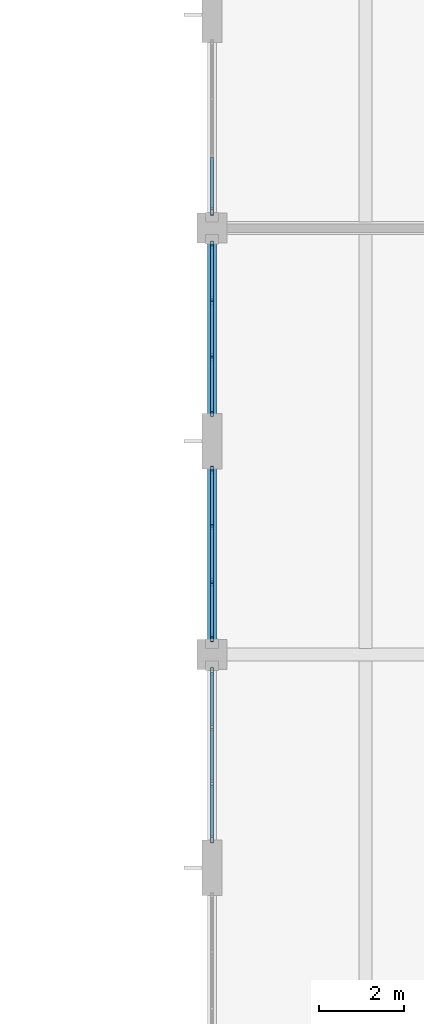
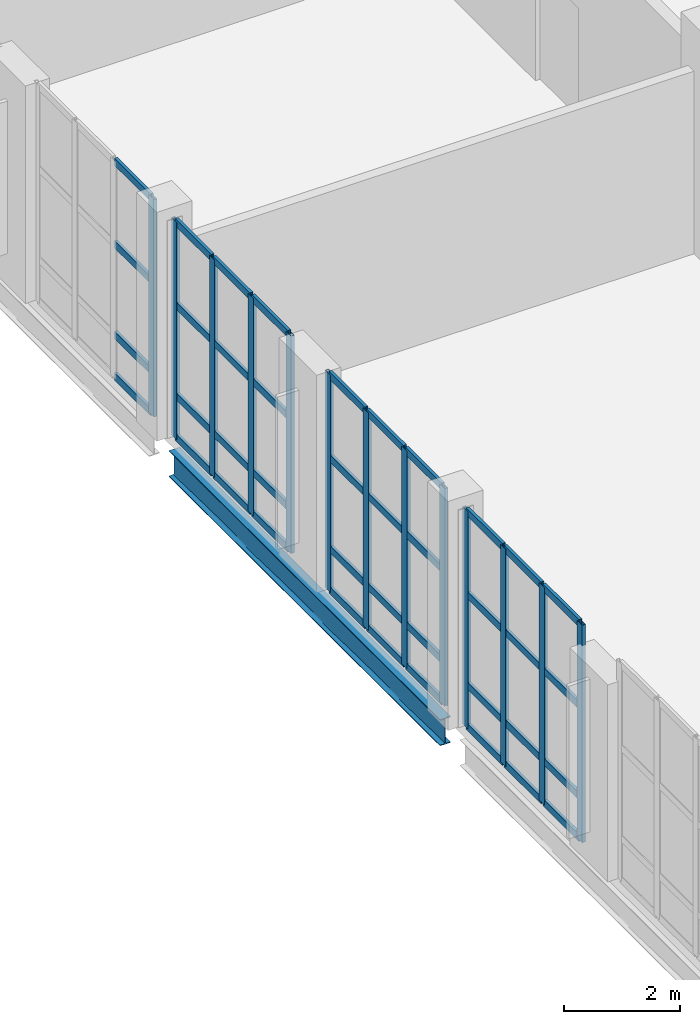
# One storey, part 29 of 92: 53 members, 1 beam, 4 elements without a shape of their own.
"""IFC4 building model written with IfcOpenShell, lengths in metres."""

import ifcopenshell
import ifcopenshell.guid

model = None  # the IFC model being written
_history = None  # IfcOwnerHistory: only IFC2X3 demands one
_inside = {}  # id of a spatial element -> (the spatial element, [elements in it])
_under = {}  # id of a project, library or spatial element -> (it, [spatial elements below it])
_declared = {}  # id of a project -> (the project, [libraries it declares])
_typed = {}  # id of a type object -> (the type object, [elements of that type])
_made_of = {}  # id of a material, layer set ... -> (it, [elements and type objects made of it])


def new_model(schema):
    """Start an empty IFC model of exactly this schema.

    Asked for "IFC4X3", IfcOpenShell would pick the latest addendum, in which some entities
    have other attributes; the version numbers below select the first issue.
    IFC2X3 requires an IfcOwnerHistory on every rooted entity: one is made here for all.
    """
    global model, _history
    if schema == "IFC4X3":
        model = ifcopenshell.file(schema_version=(4, 3, 0, 0))
    else:
        model = ifcopenshell.file(schema=schema)
    _inside.clear()
    _under.clear()
    _declared.clear()
    _typed.clear()
    _made_of.clear()
    _history = None
    if model.schema == "IFC2X3":
        org = make("IfcOrganization", Name="unknown")
        user = make(
            "IfcPersonAndOrganization",
            ThePerson=make("IfcPerson", FamilyName="unknown"),
            TheOrganization=org,
        )
        app = make(
            "IfcApplication",
            ApplicationDeveloper=org,
            Version="unknown",
            ApplicationFullName="unknown",
            ApplicationIdentifier="unknown",
        )
        _history = make(
            "IfcOwnerHistory",
            OwningUser=user,
            OwningApplication=app,
            ChangeAction="ADDED",
            CreationDate=0,
        )
    return model


def make(cls, **values):
    """One entity of the class cls with the attributes given. An attribute that is None is left unset."""
    return model.create_entity(
        cls, **{name: value for name, value in values.items() if value is not None}
    )


def rooted(cls, **values):
    """An entity with a GlobalId (a new one), such as an element, a storey or a relation."""
    return make(cls, GlobalId=ifcopenshell.guid.new(), OwnerHistory=_history, **values)


def si_unit(unit_type, name, prefix=None):
    """IfcSIUnit, for example si_unit("LENGTHUNIT", "METRE", prefix="MILLI")."""
    return make("IfcSIUnit", UnitType=unit_type, Prefix=prefix, Name=name)


def assignment(units):
    """IfcUnitAssignment: the units of a project."""
    return None if units is None else make("IfcUnitAssignment", Units=units)


def point(xyz):
    """IfcCartesianPoint."""
    return None if xyz is None else make("IfcCartesianPoint", Coordinates=xyz)


def direction(xyz):
    """IfcDirection."""
    return None if xyz is None else make("IfcDirection", DirectionRatios=xyz)


def frame(location, z_axis=None, x_axis=None):
    """IfcAxis2Placement3D, a coordinate frame: its origin and axes. An axis left out is left unset."""
    return make(
        "IfcAxis2Placement3D",
        Location=point(location),
        Axis=direction(z_axis),
        RefDirection=direction(x_axis),
    )


def frame_2d(location, x_axis=None):
    """IfcAxis2Placement2D, a coordinate frame in the plane: its origin and x axis."""
    return make(
        "IfcAxis2Placement2D", Location=point(location), RefDirection=direction(x_axis)
    )


def origin():
    """The frame at (0, 0, 0) with its axes left unset."""
    return frame((0.0, 0.0, 0.0))


def origin_2d():
    """The frame at (0, 0) in the plane with its x axis left unset."""
    return frame_2d((0.0, 0.0))


def place(relative_to, where):
    """IfcLocalPlacement: puts the frame where relative to a parent placement (None: the world)."""
    return make(
        "IfcLocalPlacement", PlacementRelTo=relative_to, RelativePlacement=where
    )


def context(
    kind, dimensions, precision=None, world=None, true_north=None, identifier=None
):
    """IfcGeometricRepresentationContext, for example the 3D "Model" context."""
    return make(
        "IfcGeometricRepresentationContext",
        ContextIdentifier=identifier,
        ContextType=kind,
        CoordinateSpaceDimension=dimensions,
        Precision=precision,
        WorldCoordinateSystem=world,
        TrueNorth=true_north,
    )


def subcontext(parent, identifier, kind, view, scale=None):
    """IfcGeometricRepresentationSubContext, for example "Body" below "Model"."""
    return make(
        "IfcGeometricRepresentationSubContext",
        ContextIdentifier=identifier,
        ContextType=kind,
        ParentContext=parent,
        TargetScale=scale,
        TargetView=view,
    )


def project(units=None, contexts=None):
    """IfcProject with its units and contexts."""
    return rooted(
        "IfcProject",
        Name="project",
        RepresentationContexts=contexts,
        UnitsInContext=assignment(units),
    )


def spatial(cls, under=None, at=None, **own):
    """A site, building, storey or space (cls), placed at a placement, below another one or the project."""
    s = rooted(cls, ObjectPlacement=at, **own)
    if under is not None:
        _under.setdefault(under.id(), (under, []))[1].append(s)
    return s


def profile(cls, at=None, kind="AREA", **sizes):
    """A parametric profile (cls). Its sizes go by their IFC names, for example OverallWidth=200.0."""
    return make(cls, ProfileType=kind, Position=at, **sizes)


def hollow_rectangle(**sizes):
    """IfcRectangleHollowProfileDef."""
    return profile("IfcRectangleHollowProfileDef", **sizes)


def i_section(**sizes):
    """IfcIShapeProfileDef."""
    return profile("IfcIShapeProfileDef", **sizes)


def extrude(swept, where, along, depth):
    """IfcExtrudedAreaSolid: the profile swept, set in the frame where, extruded along a direction by depth."""
    return make(
        "IfcExtrudedAreaSolid",
        SweptArea=swept,
        Position=where,
        ExtrudedDirection=direction(along),
        Depth=depth,
    )


def shape(context_of_items, identifier, shape_type, items):
    """IfcShapeRepresentation: the items that make up one representation, for example the "Body"."""
    return make(
        "IfcShapeRepresentation",
        ContextOfItems=context_of_items,
        RepresentationIdentifier=identifier,
        RepresentationType=shape_type,
        Items=items,
    )


def material(Name=None, Category=None):
    """IfcMaterial."""
    return make("IfcMaterial", Name=Name, Category=Category)


def layer(
    of_material, thickness, ventilated=None, Name=None, Category=None, Priority=None
):
    """IfcMaterialLayer: one layer of a wall or slab, of a material (None: an air gap)."""
    return make(
        "IfcMaterialLayer",
        Material=of_material,
        LayerThickness=thickness,
        IsVentilated=ventilated,
        Name=Name,
        Category=Category,
        Priority=Priority,
    )


def layer_set(layers, Name=None):
    """IfcMaterialLayerSet."""
    return make("IfcMaterialLayerSet", MaterialLayers=layers, LayerSetName=Name)


def material_profile(
    of_material, cross_section, Name=None, Category=None, Priority=None
):
    """IfcMaterialProfile: a cross section and its material."""
    return make(
        "IfcMaterialProfile",
        Name=Name,
        Material=of_material,
        Profile=cross_section,
        Priority=Priority,
        Category=Category,
    )


def profile_set(profiles, Name=None, composite=None):
    """IfcMaterialProfileSet."""
    return make(
        "IfcMaterialProfileSet",
        Name=Name,
        MaterialProfiles=profiles,
        CompositeProfile=composite,
    )


def made_of(thing, what):
    """Note that an element or type object is made of a material, layer set ...; save() writes the relation."""
    if what is not None:
        _made_of.setdefault(what.id(), (what, []))[1].append(thing)
    return thing


def type_object(cls, material=None, **own):
    """A type object (cls), such as IfcWallType, which elements share."""
    return made_of(rooted(cls, **own), material)


def element(
    cls,
    number,
    at=None,
    inside=None,
    cuts=None,
    type_object=None,
    material=None,
    context=None,
    identifier="Body",
    shape_type=None,
    held_by="IfcProductDefinitionShape",
    body=None,
    shapes=None,
    **own,
):
    """One element of the class cls, such as IfcWall. Its Tag is "e" and its number.

    at: its placement. inside: the storey or other place that contains it. cuts: it is an
    opening in that element (IfcRelVoidsElement). A single representation is given by context,
    identifier, shape_type and body (its items); several are given by shapes. held_by: the class
    of the entity that holds the representations. save() writes the other relations.
    """
    e = rooted(cls, Tag="e%d" % number, ObjectPlacement=at, **own)
    if body is not None:
        shapes = [shape(context, identifier, shape_type, body)]
    if shapes is not None:
        e.Representation = make(held_by, Representations=shapes)
    if inside is not None:
        _inside.setdefault(inside.id(), (inside, []))[1].append(e)
    if cuts is not None:
        rooted(
            "IfcRelVoidsElement", RelatingBuildingElement=cuts, RelatedOpeningElement=e
        )
    if type_object is not None:
        _typed.setdefault(type_object.id(), (type_object, []))[1].append(e)
    return made_of(e, material)


def aggregate(whole, parts):
    """IfcRelAggregates: a whole, such as a stair, and the parts it consists of."""
    return rooted("IfcRelAggregates", RelatingObject=whole, RelatedObjects=parts)


def save(model, path):
    """Write the relations noted so far, then the file.

    IfcRelAggregates (storeys below a building ...), IfcRelContainedInSpatialStructure (elements
    in a storey), IfcRelDefinesByType, IfcRelAssociatesMaterial and IfcRelDeclares: one each for
    every whole, place, type object, material and project.
    """
    for whole, parts in _under.values():
        aggregate(whole, parts)
    for where, things in _inside.values():
        rooted(
            "IfcRelContainedInSpatialStructure",
            RelatedElements=things,
            RelatingStructure=where,
        )
    for kind, things in _typed.values():
        rooted("IfcRelDefinesByType", RelatedObjects=things, RelatingType=kind)
    for what, things in _made_of.values():
        rooted("IfcRelAssociatesMaterial", RelatedObjects=things, RelatingMaterial=what)
    for by, libraries in _declared.values():
        rooted("IfcRelDeclares", RelatingContext=by, RelatedDefinitions=libraries)
    model.write(path)


model = new_model("IFC4")

# Units and contexts
model_context = context("Model", 3, precision=1e-05, world=origin(), true_north=direction((0.0, 1.0)))
body_context = subcontext(model_context, "Body", "Model", "MODEL_VIEW")
ifc_project = project(units=[si_unit("LENGTHUNIT", "METRE"), si_unit("AREAUNIT", "SQUARE_METRE"), si_unit("VOLUMEUNIT", "CUBIC_METRE"), si_unit("PLANEANGLEUNIT", "RADIAN"), si_unit("MASSUNIT", "GRAM", prefix="KILO")], contexts=[model_context])

# Site, building, storey
site_placement = place(None, origin())
site = spatial("IfcSite", under=ifc_project, at=site_placement, CompositionType="ELEMENT")
building_placement = place(site_placement, origin())
building = spatial("IfcBuilding", under=site, at=building_placement, Name="Tasgan Crest Museum", CompositionType="ELEMENT")
storey_placement = place(building_placement, frame((0.0, 0.0, 4.800048828125)))
storey = spatial("IfcBuildingStorey", under=building, at=storey_placement, Name="L01", CompositionType="ELEMENT", Elevation=4.800048828125)

# Beam
ifc_material_1 = material(Name="Steel S355J2", Category="steel")
ifc_material_profile_1 = material_profile(ifc_material_1, i_section(OverallWidth=0.2099609375, OverallDepth=0.550048828125, WebThickness=0.010986328125, FlangeThickness=0.01708984375, FilletRadius=0.02392578125, at=origin_2d()), Name="IPE 550")
ifc_profile_set_1 = profile_set([ifc_material_profile_1], Name="Steel S355J2")
beam_type = type_object("IfcBeamType", Name="BM-G-IPE550", PredefinedType="BEAM", material=ifc_profile_set_1)
beam_placement = place(storey_placement, frame((108.0, 20.344970703125, -0.554931640625), z_axis=(0.0, 1.0, 0.0), x_axis=(-1.0, 0.0, 0.0)))
element("IfcBeam", 1, at=beam_placement, inside=storey, type_object=beam_type, Name="Beam L01 11 20.0-30.0", PredefinedType="BEAM", context=body_context, shape_type="SweptSolid", body=[
    extrude(i_section(OverallWidth=0.2099609375, OverallDepth=0.550048828125, WebThickness=0.010986328125, FlangeThickness=0.01708984375, FilletRadius=0.02392578125, at=origin_2d()), origin(), (0.0, 0.0, 1.0), 9.31005859375),
])

# Curtain wall, member
ifc_material_2 = material(Name="Triple-Glazed Aluminium Curtain Wall", Category="aluminium")
ifc_layer = layer(ifc_material_2, 0.179931640625, Name="CW-PORCH-Y")
ifc_layer_set = layer_set([ifc_layer], Name="Triple-Glazed Aluminium Curtain Wall")
curtain_wall_type = type_object("IfcCurtainWallType", Name="CW-PORCH-Y", PredefinedType="NOTDEFINED", material=ifc_layer_set)
curtain_wall_1_placement = place(storey_placement, origin())
curtain_wall_1 = element("IfcCurtainWall", 2, at=curtain_wall_1_placement, inside=storey, type_object=curtain_wall_type, Name="Curtain wall L01 038", PredefinedType="NOTDEFINED")
ifc_material_3 = material(Name="Anodised Aluminium", Category="aluminium")
ifc_material_profile_2 = material_profile(ifc_material_3, hollow_rectangle(XDim=0.06494140625, YDim=0.179931640625, WallThickness=0.0048828125, at=origin_2d()), Name="ALU MULLION 180x65x5")
ifc_profile_set_2 = profile_set([ifc_material_profile_2], Name="Anodised Aluminium")
member_type_1 = type_object("IfcMemberType", Name="CW-MULLION-180", PredefinedType="MULLION", material=ifc_profile_set_2)
member_1_placement = place(storey_placement, frame((108.0, 30.39501953125, 0.0), z_axis=(0.0, 0.0, 1.0), x_axis=(1.0, 0.0, 0.0)))
member_1 = element("IfcMember", 3, at=member_1_placement, type_object=member_type_1, Name="CW02 mullion 4", PredefinedType="MULLION", context=body_context, shape_type="SweptSolid", body=[
    extrude(hollow_rectangle(XDim=0.06494140625, YDim=0.179931640625, WallThickness=0.0048828125, at=origin_2d()), origin(), (0.0, 0.0, 1.0), 4.56005859375),
])

# Curtain wall, members
curtain_wall_2_placement = place(storey_placement, origin())
curtain_wall_2 = element("IfcCurtainWall", 4, at=curtain_wall_2_placement, inside=storey, type_object=curtain_wall_type, Name="Curtain wall L01 039", PredefinedType="NOTDEFINED")
member_2_placement = place(storey_placement, frame((108.0, 29.60498046875, 0.0), z_axis=(0.0, 0.0, 1.0), x_axis=(1.0, 0.0, 0.0)))
member_2 = element("IfcMember", 5, at=member_2_placement, type_object=member_type_1, Name="CW02 mullion 1", PredefinedType="MULLION", context=body_context, shape_type="SweptSolid", body=[
    extrude(hollow_rectangle(XDim=0.06494140625, YDim=0.179931640625, WallThickness=0.0048828125, at=origin_2d()), origin(), (0.0, 0.0, 1.0), 4.56005859375),
])
member_3_placement = place(storey_placement, frame((108.0, 28.304931640625, 0.0), z_axis=(0.0, 0.0, 1.0), x_axis=(1.0, 0.0, 0.0)))
member_3 = element("IfcMember", 6, at=member_3_placement, type_object=member_type_1, Name="CW02 mullion 2", PredefinedType="MULLION", context=body_context, shape_type="SweptSolid", body=[
    extrude(hollow_rectangle(XDim=0.06494140625, YDim=0.179931640625, WallThickness=0.0048828125, at=origin_2d()), origin(), (0.0, 0.0, 1.0), 4.56005859375),
])
member_4_placement = place(storey_placement, frame((108.0, 26.97509765625, 0.0), z_axis=(0.0, 0.0, 1.0), x_axis=(1.0, 0.0, 0.0)))
member_4 = element("IfcMember", 7, at=member_4_placement, type_object=member_type_1, Name="CW02 mullion 3", PredefinedType="MULLION", context=body_context, shape_type="SweptSolid", body=[
    extrude(hollow_rectangle(XDim=0.06494140625, YDim=0.179931640625, WallThickness=0.0048828125, at=origin_2d()), origin(), (0.0, 0.0, 1.0), 4.56005859375),
])
member_5_placement = place(storey_placement, frame((108.0, 25.675048828125, 0.0), z_axis=(0.0, 0.0, 1.0), x_axis=(1.0, 0.0, 0.0)))
member_5 = element("IfcMember", 8, at=member_5_placement, type_object=member_type_1, Name="CW02 mullion 4", PredefinedType="MULLION", context=body_context, shape_type="SweptSolid", body=[
    extrude(hollow_rectangle(XDim=0.06494140625, YDim=0.179931640625, WallThickness=0.0048828125, at=origin_2d()), origin(), (0.0, 0.0, 1.0), 4.56005859375),
])

curtain_wall_3_placement = place(storey_placement, origin())
curtain_wall_3 = element("IfcCurtainWall", 9, at=curtain_wall_3_placement, inside=storey, type_object=curtain_wall_type, Name="Curtain wall L01 040", PredefinedType="NOTDEFINED")
member_6_placement = place(storey_placement, frame((108.0, 24.324951171875, 0.0), z_axis=(0.0, 0.0, 1.0), x_axis=(1.0, 0.0, 0.0)))
member_6 = element("IfcMember", 10, at=member_6_placement, type_object=member_type_1, Name="CW02 mullion 1", PredefinedType="MULLION", context=body_context, shape_type="SweptSolid", body=[
    extrude(hollow_rectangle(XDim=0.06494140625, YDim=0.179931640625, WallThickness=0.0048828125, at=origin_2d()), origin(), (0.0, 0.0, 1.0), 4.56005859375),
])
member_7_placement = place(storey_placement, frame((108.0, 23.02490234375, 0.0), z_axis=(0.0, 0.0, 1.0), x_axis=(1.0, 0.0, 0.0)))
member_7 = element("IfcMember", 11, at=member_7_placement, type_object=member_type_1, Name="CW02 mullion 2", PredefinedType="MULLION", context=body_context, shape_type="SweptSolid", body=[
    extrude(hollow_rectangle(XDim=0.06494140625, YDim=0.179931640625, WallThickness=0.0048828125, at=origin_2d()), origin(), (0.0, 0.0, 1.0), 4.56005859375),
])
member_8_placement = place(storey_placement, frame((108.0, 21.695068359375, 0.0), z_axis=(0.0, 0.0, 1.0), x_axis=(1.0, 0.0, 0.0)))
member_8 = element("IfcMember", 12, at=member_8_placement, type_object=member_type_1, Name="CW02 mullion 3", PredefinedType="MULLION", context=body_context, shape_type="SweptSolid", body=[
    extrude(hollow_rectangle(XDim=0.06494140625, YDim=0.179931640625, WallThickness=0.0048828125, at=origin_2d()), origin(), (0.0, 0.0, 1.0), 4.56005859375),
])
member_9_placement = place(storey_placement, frame((108.0, 20.39501953125, 0.0), z_axis=(0.0, 0.0, 1.0), x_axis=(1.0, 0.0, 0.0)))
member_9 = element("IfcMember", 13, at=member_9_placement, type_object=member_type_1, Name="CW02 mullion 4", PredefinedType="MULLION", context=body_context, shape_type="SweptSolid", body=[
    extrude(hollow_rectangle(XDim=0.06494140625, YDim=0.179931640625, WallThickness=0.0048828125, at=origin_2d()), origin(), (0.0, 0.0, 1.0), 4.56005859375),
])

curtain_wall_4_placement = place(storey_placement, origin())
curtain_wall_4 = element("IfcCurtainWall", 14, at=curtain_wall_4_placement, inside=storey, type_object=curtain_wall_type, Name="Curtain wall L01 041", PredefinedType="NOTDEFINED")
member_10_placement = place(storey_placement, frame((108.0, 19.60498046875, 0.0), z_axis=(0.0, 0.0, 1.0), x_axis=(1.0, 0.0, 0.0)))
member_10 = element("IfcMember", 15, at=member_10_placement, type_object=member_type_1, Name="CW02 mullion 1", PredefinedType="MULLION", context=body_context, shape_type="SweptSolid", body=[
    extrude(hollow_rectangle(XDim=0.06494140625, YDim=0.179931640625, WallThickness=0.0048828125, at=origin_2d()), origin(), (0.0, 0.0, 1.0), 4.56005859375),
])
member_11_placement = place(storey_placement, frame((108.0, 18.304931640625, 0.0), z_axis=(0.0, 0.0, 1.0), x_axis=(1.0, 0.0, 0.0)))
member_11 = element("IfcMember", 16, at=member_11_placement, type_object=member_type_1, Name="CW02 mullion 2", PredefinedType="MULLION", context=body_context, shape_type="SweptSolid", body=[
    extrude(hollow_rectangle(XDim=0.06494140625, YDim=0.179931640625, WallThickness=0.0048828125, at=origin_2d()), origin(), (0.0, 0.0, 1.0), 4.56005859375),
])
member_12_placement = place(storey_placement, frame((108.0, 16.97509765625, 0.0), z_axis=(0.0, 0.0, 1.0), x_axis=(1.0, 0.0, 0.0)))
member_12 = element("IfcMember", 17, at=member_12_placement, type_object=member_type_1, Name="CW02 mullion 3", PredefinedType="MULLION", context=body_context, shape_type="SweptSolid", body=[
    extrude(hollow_rectangle(XDim=0.06494140625, YDim=0.179931640625, WallThickness=0.0048828125, at=origin_2d()), origin(), (0.0, 0.0, 1.0), 4.56005859375),
])
member_13_placement = place(storey_placement, frame((108.0, 15.675048828125, 0.0), z_axis=(0.0, 0.0, 1.0), x_axis=(1.0, 0.0, 0.0)))
member_13 = element("IfcMember", 18, at=member_13_placement, type_object=member_type_1, Name="CW02 mullion 4", PredefinedType="MULLION", context=body_context, shape_type="SweptSolid", body=[
    extrude(hollow_rectangle(XDim=0.06494140625, YDim=0.179931640625, WallThickness=0.0048828125, at=origin_2d()), origin(), (0.0, 0.0, 1.0), 4.56005859375),
])

# Member
ifc_material_4 = material(Name="Anodised Aluminium", Category="aluminium")
ifc_material_profile_3 = material_profile(ifc_material_4, hollow_rectangle(XDim=0.06005859375, YDim=0.14990234375, WallThickness=0.0048828125, at=origin_2d()), Name="ALU TRANSOM 150x60x5")
ifc_profile_set_3 = profile_set([ifc_material_profile_3], Name="Anodised Aluminium")
member_type_2 = type_object("IfcMemberType", Name="CW-TRANSOM-150", PredefinedType="USERDEFINED", material=ifc_profile_set_3)
member_14_placement = place(storey_placement, frame((108.0, 31.6650390625, 0.030029296875), z_axis=(0.0, -1.0, 0.0), x_axis=(1.0, 0.0, 0.0)))
member_14 = element("IfcMember", 19, at=member_14_placement, type_object=member_type_2, Name="CW02 transom 3.1", ObjectType="TRANSOM", PredefinedType="USERDEFINED", context=body_context, shape_type="SweptSolid", body=[
    extrude(hollow_rectangle(XDim=0.06005859375, YDim=0.14990234375, WallThickness=0.0048828125, at=origin_2d()), origin(), (0.0, 0.0, 1.0), 1.239990234375),
])

member_15_placement = place(storey_placement, frame((108.0, 31.6650390625, 0.89990234375), z_axis=(0.0, -1.0, 0.0), x_axis=(1.0, 0.0, 0.0)))
member_15 = element("IfcMember", 20, at=member_15_placement, type_object=member_type_2, Name="CW02 transom 3.2", ObjectType="TRANSOM", PredefinedType="USERDEFINED", context=body_context, shape_type="SweptSolid", body=[
    extrude(hollow_rectangle(XDim=0.06005859375, YDim=0.14990234375, WallThickness=0.0048828125, at=origin_2d()), origin(), (0.0, 0.0, 1.0), 1.239990234375),
])

member_16_placement = place(storey_placement, frame((108.0, 31.6650390625, 2.800048828125), z_axis=(0.0, -1.0, 0.0), x_axis=(1.0, 0.0, 0.0)))
member_16 = element("IfcMember", 21, at=member_16_placement, type_object=member_type_2, Name="CW02 transom 3.3", ObjectType="TRANSOM", PredefinedType="USERDEFINED", context=body_context, shape_type="SweptSolid", body=[
    extrude(hollow_rectangle(XDim=0.06005859375, YDim=0.14990234375, WallThickness=0.0048828125, at=origin_2d()), origin(), (0.0, 0.0, 1.0), 1.239990234375),
])

member_17_placement = place(storey_placement, frame((108.0, 31.6650390625, 4.530029296875), z_axis=(0.0, -1.0, 0.0), x_axis=(1.0, 0.0, 0.0)))
member_17 = element("IfcMember", 22, at=member_17_placement, type_object=member_type_2, Name="CW02 transom 3.4", ObjectType="TRANSOM", PredefinedType="USERDEFINED", context=body_context, shape_type="SweptSolid", body=[
    extrude(hollow_rectangle(XDim=0.06005859375, YDim=0.14990234375, WallThickness=0.0048828125, at=origin_2d()), origin(), (0.0, 0.0, 1.0), 1.239990234375),
])

aggregate(curtain_wall_1, [member_1, member_14, member_15, member_16, member_17])

member_18_placement = place(storey_placement, frame((108.0, 29.574951171875, 0.030029296875), z_axis=(0.0, -1.0, 0.0), x_axis=(1.0, 0.0, 0.0)))
member_18 = element("IfcMember", 23, at=member_18_placement, type_object=member_type_2, Name="CW02 transom 1.1", ObjectType="TRANSOM", PredefinedType="USERDEFINED", context=body_context, shape_type="SweptSolid", body=[
    extrude(hollow_rectangle(XDim=0.06005859375, YDim=0.14990234375, WallThickness=0.0048828125, at=origin_2d()), origin(), (0.0, 0.0, 1.0), 1.239990234375),
])

member_19_placement = place(storey_placement, frame((108.0, 29.574951171875, 0.89990234375), z_axis=(0.0, -1.0, 0.0), x_axis=(1.0, 0.0, 0.0)))
member_19 = element("IfcMember", 24, at=member_19_placement, type_object=member_type_2, Name="CW02 transom 1.2", ObjectType="TRANSOM", PredefinedType="USERDEFINED", context=body_context, shape_type="SweptSolid", body=[
    extrude(hollow_rectangle(XDim=0.06005859375, YDim=0.14990234375, WallThickness=0.0048828125, at=origin_2d()), origin(), (0.0, 0.0, 1.0), 1.239990234375),
])

member_20_placement = place(storey_placement, frame((108.0, 29.574951171875, 2.800048828125), z_axis=(0.0, -1.0, 0.0), x_axis=(1.0, 0.0, 0.0)))
member_20 = element("IfcMember", 25, at=member_20_placement, type_object=member_type_2, Name="CW02 transom 1.3", ObjectType="TRANSOM", PredefinedType="USERDEFINED", context=body_context, shape_type="SweptSolid", body=[
    extrude(hollow_rectangle(XDim=0.06005859375, YDim=0.14990234375, WallThickness=0.0048828125, at=origin_2d()), origin(), (0.0, 0.0, 1.0), 1.239990234375),
])

member_21_placement = place(storey_placement, frame((108.0, 29.574951171875, 4.530029296875), z_axis=(0.0, -1.0, 0.0), x_axis=(1.0, 0.0, 0.0)))
member_21 = element("IfcMember", 26, at=member_21_placement, type_object=member_type_2, Name="CW02 transom 1.4", ObjectType="TRANSOM", PredefinedType="USERDEFINED", context=body_context, shape_type="SweptSolid", body=[
    extrude(hollow_rectangle(XDim=0.06005859375, YDim=0.14990234375, WallThickness=0.0048828125, at=origin_2d()), origin(), (0.0, 0.0, 1.0), 1.239990234375),
])

member_22_placement = place(storey_placement, frame((108.0, 28.27490234375, 0.030029296875), z_axis=(0.0, -1.0, 0.0), x_axis=(1.0, 0.0, 0.0)))
member_22 = element("IfcMember", 27, at=member_22_placement, type_object=member_type_2, Name="CW02 transom 2.1", ObjectType="TRANSOM", PredefinedType="USERDEFINED", context=body_context, shape_type="SweptSolid", body=[
    extrude(hollow_rectangle(XDim=0.06005859375, YDim=0.14990234375, WallThickness=0.0048828125, at=origin_2d()), origin(), (0.0, 0.0, 1.0), 1.27001953125),
])

member_23_placement = place(storey_placement, frame((108.0, 28.27490234375, 0.89990234375), z_axis=(0.0, -1.0, 0.0), x_axis=(1.0, 0.0, 0.0)))
member_23 = element("IfcMember", 28, at=member_23_placement, type_object=member_type_2, Name="CW02 transom 2.2", ObjectType="TRANSOM", PredefinedType="USERDEFINED", context=body_context, shape_type="SweptSolid", body=[
    extrude(hollow_rectangle(XDim=0.06005859375, YDim=0.14990234375, WallThickness=0.0048828125, at=origin_2d()), origin(), (0.0, 0.0, 1.0), 1.27001953125),
])

member_24_placement = place(storey_placement, frame((108.0, 28.27490234375, 2.800048828125), z_axis=(0.0, -1.0, 0.0), x_axis=(1.0, 0.0, 0.0)))
member_24 = element("IfcMember", 29, at=member_24_placement, type_object=member_type_2, Name="CW02 transom 2.3", ObjectType="TRANSOM", PredefinedType="USERDEFINED", context=body_context, shape_type="SweptSolid", body=[
    extrude(hollow_rectangle(XDim=0.06005859375, YDim=0.14990234375, WallThickness=0.0048828125, at=origin_2d()), origin(), (0.0, 0.0, 1.0), 1.27001953125),
])

member_25_placement = place(storey_placement, frame((108.0, 28.27490234375, 4.530029296875), z_axis=(0.0, -1.0, 0.0), x_axis=(1.0, 0.0, 0.0)))
member_25 = element("IfcMember", 30, at=member_25_placement, type_object=member_type_2, Name="CW02 transom 2.4", ObjectType="TRANSOM", PredefinedType="USERDEFINED", context=body_context, shape_type="SweptSolid", body=[
    extrude(hollow_rectangle(XDim=0.06005859375, YDim=0.14990234375, WallThickness=0.0048828125, at=origin_2d()), origin(), (0.0, 0.0, 1.0), 1.27001953125),
])

member_26_placement = place(storey_placement, frame((108.0, 26.945068359375, 0.030029296875), z_axis=(0.0, -1.0, 0.0), x_axis=(1.0, 0.0, 0.0)))
member_26 = element("IfcMember", 31, at=member_26_placement, type_object=member_type_2, Name="CW02 transom 3.1", ObjectType="TRANSOM", PredefinedType="USERDEFINED", context=body_context, shape_type="SweptSolid", body=[
    extrude(hollow_rectangle(XDim=0.06005859375, YDim=0.14990234375, WallThickness=0.0048828125, at=origin_2d()), origin(), (0.0, 0.0, 1.0), 1.239990234375),
])

member_27_placement = place(storey_placement, frame((108.0, 26.945068359375, 0.89990234375), z_axis=(0.0, -1.0, 0.0), x_axis=(1.0, 0.0, 0.0)))
member_27 = element("IfcMember", 32, at=member_27_placement, type_object=member_type_2, Name="CW02 transom 3.2", ObjectType="TRANSOM", PredefinedType="USERDEFINED", context=body_context, shape_type="SweptSolid", body=[
    extrude(hollow_rectangle(XDim=0.06005859375, YDim=0.14990234375, WallThickness=0.0048828125, at=origin_2d()), origin(), (0.0, 0.0, 1.0), 1.239990234375),
])

member_28_placement = place(storey_placement, frame((108.0, 26.945068359375, 2.800048828125), z_axis=(0.0, -1.0, 0.0), x_axis=(1.0, 0.0, 0.0)))
member_28 = element("IfcMember", 33, at=member_28_placement, type_object=member_type_2, Name="CW02 transom 3.3", ObjectType="TRANSOM", PredefinedType="USERDEFINED", context=body_context, shape_type="SweptSolid", body=[
    extrude(hollow_rectangle(XDim=0.06005859375, YDim=0.14990234375, WallThickness=0.0048828125, at=origin_2d()), origin(), (0.0, 0.0, 1.0), 1.239990234375),
])

member_29_placement = place(storey_placement, frame((108.0, 26.945068359375, 4.530029296875), z_axis=(0.0, -1.0, 0.0), x_axis=(1.0, 0.0, 0.0)))
member_29 = element("IfcMember", 34, at=member_29_placement, type_object=member_type_2, Name="CW02 transom 3.4", ObjectType="TRANSOM", PredefinedType="USERDEFINED", context=body_context, shape_type="SweptSolid", body=[
    extrude(hollow_rectangle(XDim=0.06005859375, YDim=0.14990234375, WallThickness=0.0048828125, at=origin_2d()), origin(), (0.0, 0.0, 1.0), 1.239990234375),
])

aggregate(curtain_wall_2, [member_2, member_3, member_4, member_5, member_18, member_19, member_20, member_21, member_22, member_23, member_24, member_25, member_26, member_27, member_28, member_29])

member_30_placement = place(storey_placement, frame((108.0, 24.294921875, 0.030029296875), z_axis=(0.0, -1.0, 0.0), x_axis=(1.0, 0.0, 0.0)))
member_30 = element("IfcMember", 35, at=member_30_placement, type_object=member_type_2, Name="CW02 transom 1.1", ObjectType="TRANSOM", PredefinedType="USERDEFINED", context=body_context, shape_type="SweptSolid", body=[
    extrude(hollow_rectangle(XDim=0.06005859375, YDim=0.14990234375, WallThickness=0.0048828125, at=origin_2d()), origin(), (0.0, 0.0, 1.0), 1.239990234375),
])

member_31_placement = place(storey_placement, frame((108.0, 24.294921875, 0.89990234375), z_axis=(0.0, -1.0, 0.0), x_axis=(1.0, 0.0, 0.0)))
member_31 = element("IfcMember", 36, at=member_31_placement, type_object=member_type_2, Name="CW02 transom 1.2", ObjectType="TRANSOM", PredefinedType="USERDEFINED", context=body_context, shape_type="SweptSolid", body=[
    extrude(hollow_rectangle(XDim=0.06005859375, YDim=0.14990234375, WallThickness=0.0048828125, at=origin_2d()), origin(), (0.0, 0.0, 1.0), 1.239990234375),
])

member_32_placement = place(storey_placement, frame((108.0, 24.294921875, 2.800048828125), z_axis=(0.0, -1.0, 0.0), x_axis=(1.0, 0.0, 0.0)))
member_32 = element("IfcMember", 37, at=member_32_placement, type_object=member_type_2, Name="CW02 transom 1.3", ObjectType="TRANSOM", PredefinedType="USERDEFINED", context=body_context, shape_type="SweptSolid", body=[
    extrude(hollow_rectangle(XDim=0.06005859375, YDim=0.14990234375, WallThickness=0.0048828125, at=origin_2d()), origin(), (0.0, 0.0, 1.0), 1.239990234375),
])

member_33_placement = place(storey_placement, frame((108.0, 24.294921875, 4.530029296875), z_axis=(0.0, -1.0, 0.0), x_axis=(1.0, 0.0, 0.0)))
member_33 = element("IfcMember", 38, at=member_33_placement, type_object=member_type_2, Name="CW02 transom 1.4", ObjectType="TRANSOM", PredefinedType="USERDEFINED", context=body_context, shape_type="SweptSolid", body=[
    extrude(hollow_rectangle(XDim=0.06005859375, YDim=0.14990234375, WallThickness=0.0048828125, at=origin_2d()), origin(), (0.0, 0.0, 1.0), 1.239990234375),
])

member_34_placement = place(storey_placement, frame((108.0, 22.9951171875, 0.030029296875), z_axis=(0.0, -1.0, 0.0), x_axis=(1.0, 0.0, 0.0)))
member_34 = element("IfcMember", 39, at=member_34_placement, type_object=member_type_2, Name="CW02 transom 2.1", ObjectType="TRANSOM", PredefinedType="USERDEFINED", context=body_context, shape_type="SweptSolid", body=[
    extrude(hollow_rectangle(XDim=0.06005859375, YDim=0.14990234375, WallThickness=0.0048828125, at=origin_2d()), origin(), (0.0, 0.0, 1.0), 1.27001953125),
])

member_35_placement = place(storey_placement, frame((108.0, 22.9951171875, 0.89990234375), z_axis=(0.0, -1.0, 0.0), x_axis=(1.0, 0.0, 0.0)))
member_35 = element("IfcMember", 40, at=member_35_placement, type_object=member_type_2, Name="CW02 transom 2.2", ObjectType="TRANSOM", PredefinedType="USERDEFINED", context=body_context, shape_type="SweptSolid", body=[
    extrude(hollow_rectangle(XDim=0.06005859375, YDim=0.14990234375, WallThickness=0.0048828125, at=origin_2d()), origin(), (0.0, 0.0, 1.0), 1.27001953125),
])

member_36_placement = place(storey_placement, frame((108.0, 22.9951171875, 2.800048828125), z_axis=(0.0, -1.0, 0.0), x_axis=(1.0, 0.0, 0.0)))
member_36 = element("IfcMember", 41, at=member_36_placement, type_object=member_type_2, Name="CW02 transom 2.3", ObjectType="TRANSOM", PredefinedType="USERDEFINED", context=body_context, shape_type="SweptSolid", body=[
    extrude(hollow_rectangle(XDim=0.06005859375, YDim=0.14990234375, WallThickness=0.0048828125, at=origin_2d()), origin(), (0.0, 0.0, 1.0), 1.27001953125),
])

member_37_placement = place(storey_placement, frame((108.0, 22.9951171875, 4.530029296875), z_axis=(0.0, -1.0, 0.0), x_axis=(1.0, 0.0, 0.0)))
member_37 = element("IfcMember", 42, at=member_37_placement, type_object=member_type_2, Name="CW02 transom 2.4", ObjectType="TRANSOM", PredefinedType="USERDEFINED", context=body_context, shape_type="SweptSolid", body=[
    extrude(hollow_rectangle(XDim=0.06005859375, YDim=0.14990234375, WallThickness=0.0048828125, at=origin_2d()), origin(), (0.0, 0.0, 1.0), 1.27001953125),
])

member_38_placement = place(storey_placement, frame((108.0, 21.6650390625, 0.030029296875), z_axis=(0.0, -1.0, 0.0), x_axis=(1.0, 0.0, 0.0)))
member_38 = element("IfcMember", 43, at=member_38_placement, type_object=member_type_2, Name="CW02 transom 3.1", ObjectType="TRANSOM", PredefinedType="USERDEFINED", context=body_context, shape_type="SweptSolid", body=[
    extrude(hollow_rectangle(XDim=0.06005859375, YDim=0.14990234375, WallThickness=0.0048828125, at=origin_2d()), origin(), (0.0, 0.0, 1.0), 1.239990234375),
])

member_39_placement = place(storey_placement, frame((108.0, 21.6650390625, 0.89990234375), z_axis=(0.0, -1.0, 0.0), x_axis=(1.0, 0.0, 0.0)))
member_39 = element("IfcMember", 44, at=member_39_placement, type_object=member_type_2, Name="CW02 transom 3.2", ObjectType="TRANSOM", PredefinedType="USERDEFINED", context=body_context, shape_type="SweptSolid", body=[
    extrude(hollow_rectangle(XDim=0.06005859375, YDim=0.14990234375, WallThickness=0.0048828125, at=origin_2d()), origin(), (0.0, 0.0, 1.0), 1.239990234375),
])

member_40_placement = place(storey_placement, frame((108.0, 21.6650390625, 2.800048828125), z_axis=(0.0, -1.0, 0.0), x_axis=(1.0, 0.0, 0.0)))
member_40 = element("IfcMember", 45, at=member_40_placement, type_object=member_type_2, Name="CW02 transom 3.3", ObjectType="TRANSOM", PredefinedType="USERDEFINED", context=body_context, shape_type="SweptSolid", body=[
    extrude(hollow_rectangle(XDim=0.06005859375, YDim=0.14990234375, WallThickness=0.0048828125, at=origin_2d()), origin(), (0.0, 0.0, 1.0), 1.239990234375),
])

member_41_placement = place(storey_placement, frame((108.0, 21.6650390625, 4.530029296875), z_axis=(0.0, -1.0, 0.0), x_axis=(1.0, 0.0, 0.0)))
member_41 = element("IfcMember", 46, at=member_41_placement, type_object=member_type_2, Name="CW02 transom 3.4", ObjectType="TRANSOM", PredefinedType="USERDEFINED", context=body_context, shape_type="SweptSolid", body=[
    extrude(hollow_rectangle(XDim=0.06005859375, YDim=0.14990234375, WallThickness=0.0048828125, at=origin_2d()), origin(), (0.0, 0.0, 1.0), 1.239990234375),
])

aggregate(curtain_wall_3, [member_6, member_7, member_8, member_9, member_30, member_31, member_32, member_33, member_34, member_35, member_36, member_37, member_38, member_39, member_40, member_41])

member_42_placement = place(storey_placement, frame((108.0, 19.574951171875, 0.030029296875), z_axis=(0.0, -1.0, 0.0), x_axis=(1.0, 0.0, 0.0)))
member_42 = element("IfcMember", 47, at=member_42_placement, type_object=member_type_2, Name="CW02 transom 1.1", ObjectType="TRANSOM", PredefinedType="USERDEFINED", context=body_context, shape_type="SweptSolid", body=[
    extrude(hollow_rectangle(XDim=0.06005859375, YDim=0.14990234375, WallThickness=0.0048828125, at=origin_2d()), origin(), (0.0, 0.0, 1.0), 1.239990234375),
])

member_43_placement = place(storey_placement, frame((108.0, 19.574951171875, 0.89990234375), z_axis=(0.0, -1.0, 0.0), x_axis=(1.0, 0.0, 0.0)))
member_43 = element("IfcMember", 48, at=member_43_placement, type_object=member_type_2, Name="CW02 transom 1.2", ObjectType="TRANSOM", PredefinedType="USERDEFINED", context=body_context, shape_type="SweptSolid", body=[
    extrude(hollow_rectangle(XDim=0.06005859375, YDim=0.14990234375, WallThickness=0.0048828125, at=origin_2d()), origin(), (0.0, 0.0, 1.0), 1.239990234375),
])

member_44_placement = place(storey_placement, frame((108.0, 19.574951171875, 2.800048828125), z_axis=(0.0, -1.0, 0.0), x_axis=(1.0, 0.0, 0.0)))
member_44 = element("IfcMember", 49, at=member_44_placement, type_object=member_type_2, Name="CW02 transom 1.3", ObjectType="TRANSOM", PredefinedType="USERDEFINED", context=body_context, shape_type="SweptSolid", body=[
    extrude(hollow_rectangle(XDim=0.06005859375, YDim=0.14990234375, WallThickness=0.0048828125, at=origin_2d()), origin(), (0.0, 0.0, 1.0), 1.239990234375),
])

member_45_placement = place(storey_placement, frame((108.0, 19.574951171875, 4.530029296875), z_axis=(0.0, -1.0, 0.0), x_axis=(1.0, 0.0, 0.0)))
member_45 = element("IfcMember", 50, at=member_45_placement, type_object=member_type_2, Name="CW02 transom 1.4", ObjectType="TRANSOM", PredefinedType="USERDEFINED", context=body_context, shape_type="SweptSolid", body=[
    extrude(hollow_rectangle(XDim=0.06005859375, YDim=0.14990234375, WallThickness=0.0048828125, at=origin_2d()), origin(), (0.0, 0.0, 1.0), 1.239990234375),
])

member_46_placement = place(storey_placement, frame((108.0, 18.27490234375, 0.030029296875), z_axis=(0.0, -1.0, 0.0), x_axis=(1.0, 0.0, 0.0)))
member_46 = element("IfcMember", 51, at=member_46_placement, type_object=member_type_2, Name="CW02 transom 2.1", ObjectType="TRANSOM", PredefinedType="USERDEFINED", context=body_context, shape_type="SweptSolid", body=[
    extrude(hollow_rectangle(XDim=0.06005859375, YDim=0.14990234375, WallThickness=0.0048828125, at=origin_2d()), origin(), (0.0, 0.0, 1.0), 1.27001953125),
])

member_47_placement = place(storey_placement, frame((108.0, 18.27490234375, 0.89990234375), z_axis=(0.0, -1.0, 0.0), x_axis=(1.0, 0.0, 0.0)))
member_47 = element("IfcMember", 52, at=member_47_placement, type_object=member_type_2, Name="CW02 transom 2.2", ObjectType="TRANSOM", PredefinedType="USERDEFINED", context=body_context, shape_type="SweptSolid", body=[
    extrude(hollow_rectangle(XDim=0.06005859375, YDim=0.14990234375, WallThickness=0.0048828125, at=origin_2d()), origin(), (0.0, 0.0, 1.0), 1.27001953125),
])

member_48_placement = place(storey_placement, frame((108.0, 18.27490234375, 2.800048828125), z_axis=(0.0, -1.0, 0.0), x_axis=(1.0, 0.0, 0.0)))
member_48 = element("IfcMember", 53, at=member_48_placement, type_object=member_type_2, Name="CW02 transom 2.3", ObjectType="TRANSOM", PredefinedType="USERDEFINED", context=body_context, shape_type="SweptSolid", body=[
    extrude(hollow_rectangle(XDim=0.06005859375, YDim=0.14990234375, WallThickness=0.0048828125, at=origin_2d()), origin(), (0.0, 0.0, 1.0), 1.27001953125),
])

member_49_placement = place(storey_placement, frame((108.0, 18.27490234375, 4.530029296875), z_axis=(0.0, -1.0, 0.0), x_axis=(1.0, 0.0, 0.0)))
member_49 = element("IfcMember", 54, at=member_49_placement, type_object=member_type_2, Name="CW02 transom 2.4", ObjectType="TRANSOM", PredefinedType="USERDEFINED", context=body_context, shape_type="SweptSolid", body=[
    extrude(hollow_rectangle(XDim=0.06005859375, YDim=0.14990234375, WallThickness=0.0048828125, at=origin_2d()), origin(), (0.0, 0.0, 1.0), 1.27001953125),
])

member_50_placement = place(storey_placement, frame((108.0, 16.945068359375, 0.030029296875), z_axis=(0.0, -1.0, 0.0), x_axis=(1.0, 0.0, 0.0)))
member_50 = element("IfcMember", 55, at=member_50_placement, type_object=member_type_2, Name="CW02 transom 3.1", ObjectType="TRANSOM", PredefinedType="USERDEFINED", context=body_context, shape_type="SweptSolid", body=[
    extrude(hollow_rectangle(XDim=0.06005859375, YDim=0.14990234375, WallThickness=0.0048828125, at=origin_2d()), origin(), (0.0, 0.0, 1.0), 1.239990234375),
])

member_51_placement = place(storey_placement, frame((108.0, 16.945068359375, 0.89990234375), z_axis=(0.0, -1.0, 0.0), x_axis=(1.0, 0.0, 0.0)))
member_51 = element("IfcMember", 56, at=member_51_placement, type_object=member_type_2, Name="CW02 transom 3.2", ObjectType="TRANSOM", PredefinedType="USERDEFINED", context=body_context, shape_type="SweptSolid", body=[
    extrude(hollow_rectangle(XDim=0.06005859375, YDim=0.14990234375, WallThickness=0.0048828125, at=origin_2d()), origin(), (0.0, 0.0, 1.0), 1.239990234375),
])

member_52_placement = place(storey_placement, frame((108.0, 16.945068359375, 2.800048828125), z_axis=(0.0, -1.0, 0.0), x_axis=(1.0, 0.0, 0.0)))
member_52 = element("IfcMember", 57, at=member_52_placement, type_object=member_type_2, Name="CW02 transom 3.3", ObjectType="TRANSOM", PredefinedType="USERDEFINED", context=body_context, shape_type="SweptSolid", body=[
    extrude(hollow_rectangle(XDim=0.06005859375, YDim=0.14990234375, WallThickness=0.0048828125, at=origin_2d()), origin(), (0.0, 0.0, 1.0), 1.239990234375),
])

member_53_placement = place(storey_placement, frame((108.0, 16.945068359375, 4.530029296875), z_axis=(0.0, -1.0, 0.0), x_axis=(1.0, 0.0, 0.0)))
member_53 = element("IfcMember", 58, at=member_53_placement, type_object=member_type_2, Name="CW02 transom 3.4", ObjectType="TRANSOM", PredefinedType="USERDEFINED", context=body_context, shape_type="SweptSolid", body=[
    extrude(hollow_rectangle(XDim=0.06005859375, YDim=0.14990234375, WallThickness=0.0048828125, at=origin_2d()), origin(), (0.0, 0.0, 1.0), 1.239990234375),
])

aggregate(curtain_wall_4, [member_10, member_11, member_12, member_13, member_42, member_43, member_44, member_45, member_46, member_47, member_48, member_49, member_50, member_51, member_52, member_53])

save(model, "model.ifc")
